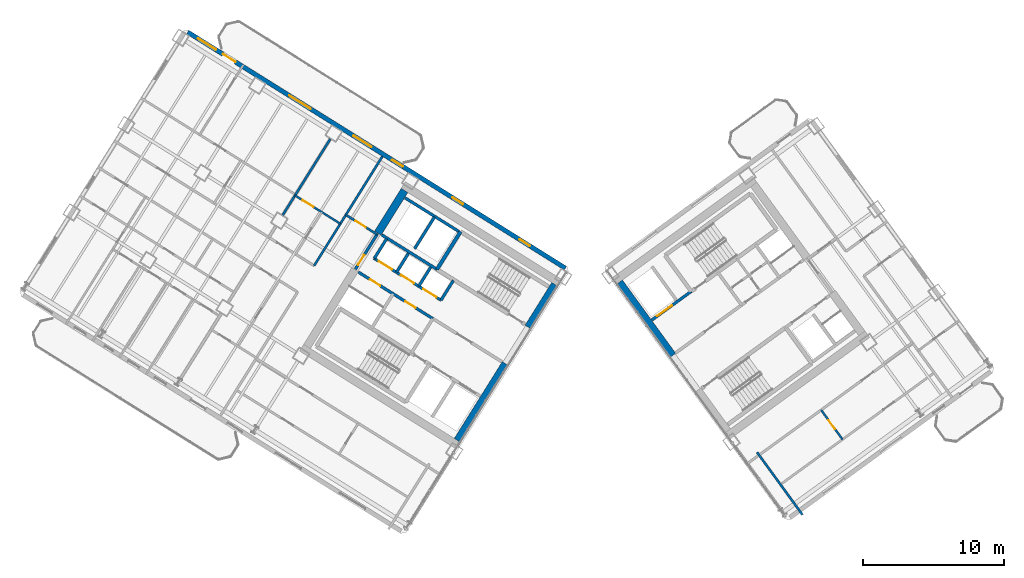
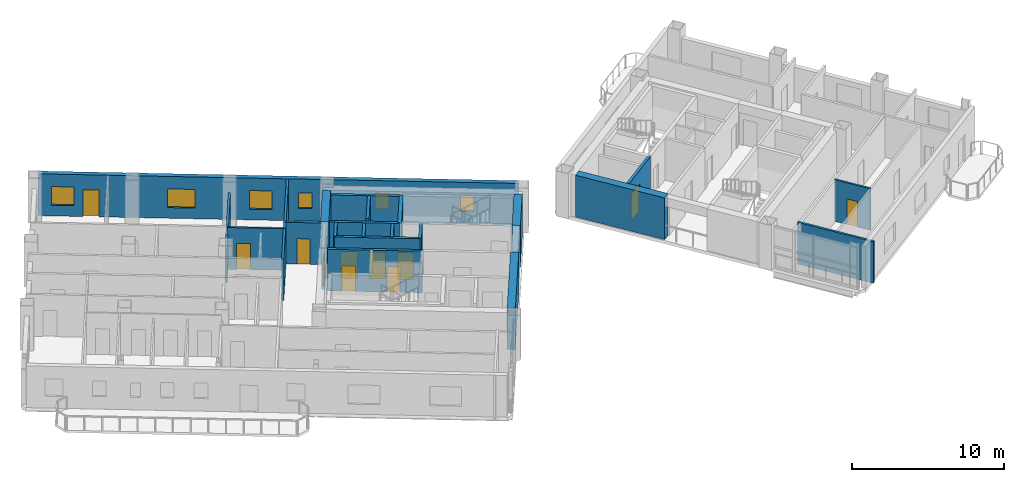
# One storey, part 12 of 18: 23 walls, 11 doors, 6 windows, 17 openings.
"""IFC4 building model written with IfcOpenShell, lengths in metres."""

from ifc_helpers import new_model, si_unit, direction, frame, frame_2d, origin, place, context, subcontext, project, spatial, rectangle, extrude, source, transform, mapped, material, layer, layer_set, type_object, element, fill, save


model = new_model("IFC4")

# Units and contexts
model_context = context("Model", 3, precision=1e-05, world=origin(), true_north=direction((0.0, 1.0)))
body_context = subcontext(model_context, "Body", "Model", "MODEL_VIEW")
ifc_project = project(units=[si_unit("LENGTHUNIT", "METRE"), si_unit("AREAUNIT", "SQUARE_METRE"), si_unit("VOLUMEUNIT", "CUBIC_METRE"), si_unit("PLANEANGLEUNIT", "RADIAN"), si_unit("MASSUNIT", "GRAM", prefix="KILO")], contexts=[model_context])

# Site, building, storey
site_placement = place(None, origin())
site = spatial("IfcSite", under=ifc_project, at=site_placement, CompositionType="ELEMENT")
building_placement = place(site_placement, origin())
building = spatial("IfcBuilding", under=site, at=building_placement, Name="Tlacorven Tower", CompositionType="ELEMENT")
storey_placement = place(building_placement, frame((0.0, 0.0, 140.699951171875)))
storey = spatial("IfcBuildingStorey", under=building, at=storey_placement, Name="L35", CompositionType="ELEMENT", Elevation=140.699951171875)

# Walls
ifc_material_1 = material(Name="Concrete C60/75", Category="concrete")
ifc_layer_1 = layer(ifc_material_1, 0.550048828125)
ifc_layer_set_1 = layer_set([ifc_layer_1], Name="Concrete C60/75")
wall_type_1 = type_object("IfcWallType", Name="WL-COR-550", PredefinedType="SHEAR", material=ifc_layer_set_1)
wall_1_placement = place(storey_placement, frame((40.194091796875, 23.92236328125, 0.0), z_axis=(0.0, 0.0, 1.0), x_axis=(-0.529888438328, -0.848067357541, 0.0)))
element("IfcWall", 1, at=wall_1_placement, inside=storey, type_object=wall_type_1, Name="L35 W core end wall E1.1", PredefinedType="SHEAR", context=body_context, shape_type="SweptSolid", body=[
    extrude(rectangle(XDim=3.574951171875, YDim=0.550048828125, at=frame_2d((1.78759765625, 0.0))), origin(), (0.0, 0.0, 1.0), 3.35009765625),
])
wall_2_placement = place(storey_placement, frame((36.683349609375, 18.30419921875, 0.0), z_axis=(0.0, 0.0, 1.0), x_axis=(-0.529896466841, -0.848062341122, 0.0)))
element("IfcWall", 2, at=wall_2_placement, inside=storey, type_object=wall_type_1, Name="L35 W core end wall E1.2", PredefinedType="SHEAR", context=body_context, shape_type="SweptSolid", body=[
    extrude(rectangle(XDim=6.4248046875, YDim=0.550048828125, at=frame_2d((3.21240234375, 0.0))), origin(), (0.0, 0.0, 1.0), 3.35009765625),
])
wall_3_placement = place(storey_placement, frame((29.517333984375, 30.59423828125, 0.0), z_axis=(0.0, 0.0, 1.0), x_axis=(-0.529906864564, -0.848055844204, 0.0)))
element("IfcWall", 3, at=wall_3_placement, inside=storey, type_object=wall_type_1, Name="L35 W core end wall E2.1", PredefinedType="SHEAR", context=body_context, shape_type="SweptSolid", body=[
    extrude(rectangle(XDim=3.5751953125, YDim=0.550048828125, at=frame_2d((1.78759765625, 0.0))), origin(), (0.0, 0.0, 1.0), 3.35009765625),
])
wall_4_placement = place(storey_placement, frame((48.525634765625, 18.883544921875, 0.0), z_axis=(0.0, 0.0, 1.0), x_axis=(-0.587764933797, 0.809031756236, 0.0)))
element("IfcWall", 4, at=wall_4_placement, inside=storey, type_object=wall_type_1, Name="L35 E core end wall E1.2", PredefinedType="SHEAR", context=body_context, shape_type="SweptSolid", body=[
    extrude(rectangle(XDim=6.425048828125, YDim=0.550048828125, at=frame_2d((3.21240234375, 0.0))), origin(), (0.0, 0.0, 1.0), 3.35009765625),
])

# Wall, opening, door
ifc_material_2 = material(Name="Gypsum plasterboard acoustic partition", Category="gypsum")
ifc_layer_2 = layer(ifc_material_2, 0.159912109375)
ifc_layer_set_2 = layer_set([ifc_layer_2], Name="Gypsum plasterboard acoustic partition")
wall_type_2 = type_object("IfcWallType", Name="WL-DEM-160", PredefinedType="PARTITIONING", material=ifc_layer_set_2)
wall_5_placement = place(storey_placement, frame((27.56982421875, 27.4775390625, 0.0), z_axis=(0.0, 0.0, 1.0), x_axis=(-0.848050851465, 0.529914854792, 0.0)))
wall_5 = element("IfcWall", 5, at=wall_5_placement, inside=storey, type_object=wall_type_2, Name="L35 partition 46", PredefinedType="PARTITIONING", context=body_context, shape_type="SweptSolid", body=[
    extrude(rectangle(XDim=2.60986328125, YDim=0.159912109375, at=frame_2d((1.304931640625, 0.0))), origin(), (0.0, 0.0, 1.0), 3.340087890625),
])
opening_1_placement = place(wall_5_placement, frame((0.949951171875, 0.0, 0.0)))
opening_1 = element("IfcOpeningElement", 6, at=opening_1_placement, cuts=wall_5, Name="Opening D19", PredefinedType="OPENING", context=body_context, shape_type="SweptSolid", body=[
    extrude(rectangle(XDim=0.860107421875, YDim=2.050048828125, at=frame_2d((0.43017578125, 1.02490234375))), frame((0.0, 0.08984375, 0.0), z_axis=(0.0, -1.0, 0.0), x_axis=(1.0, 0.0, 0.0)), (0.0, 0.0, 1.0), 0.179931640625),
])
ifc_material_3 = material(Name="Fire-rated steel door assembly", Category="steel")
door_type_1 = type_object("IfcDoorType", Name="DR-RSR-FD60-0860", OperationType="NOTDEFINED", PredefinedType="DOOR", material=ifc_material_3)
shared_shape_1 = source(origin(), body_context, "Body", "SweptSolid", [
    extrude(rectangle(XDim=0.860107421875, YDim=2.050048828125, at=frame_2d((0.43017578125, 1.02490234375))), frame((0.0, 0.02490234375, 0.0), z_axis=(0.0, -1.0, 0.0), x_axis=(1.0, 0.0, 0.0)), (0.0, 0.0, 1.0), 0.050048828125),
])
door_1_placement = place(opening_1_placement, frame((0.860107421875, 0.0, 0.0), z_axis=(0.0, 0.0, 1.0), x_axis=(-1.0, 0.0, 0.0)))
door_1 = element("IfcDoor", 7, at=door_1_placement, inside=storey, type_object=door_type_1, Name="L35 door 023", OperationType="SINGLE_SWING_RIGHT", OverallHeight=2.050048828125, OverallWidth=0.860107421875, PredefinedType="DOOR", context=body_context, shape_type="MappedRepresentation", body=[
    mapped(shared_shape_1, transform((0.0, 0.0, 0.0), scale=1.0)),
])
fill(opening_1, door_1)

# Walls
wall_6_placement = place(storey_placement, frame((27.952880859375, 33.01611328125, 0.0), z_axis=(0.0, 0.0, 1.0), x_axis=(-0.529903001606, -0.848058257957, 0.0)))
element("IfcWall", 8, at=wall_6_placement, inside=storey, type_object=wall_type_2, Name="L35 partition 48", PredefinedType="PARTITIONING", context=body_context, shape_type="SweptSolid", body=[
    extrude(rectangle(XDim=9.150146484375, YDim=0.159912109375, at=frame_2d((4.5751953125, 0.0))), origin(), (0.0, 0.0, 1.0), 3.340087890625),
])
wall_7_placement = place(storey_placement, frame((24.255615234375, 34.2509765625, 0.0), z_axis=(0.0, 0.0, 1.0), x_axis=(-0.529919772691, -0.848047778437, 0.0)))
element("IfcWall", 9, at=wall_7_placement, inside=storey, type_object=wall_type_2, Name="L35 WS Demising Wall 1", PredefinedType="PARTITIONING", context=body_context, shape_type="SweptSolid", body=[
    extrude(rectangle(XDim=6.375732421875, YDim=0.159912109375, at=frame_2d((3.18798828125, 0.0))), origin(), (0.0, 0.0, 1.0), 2.775146484375),
])
wall_8_placement = place(storey_placement, frame((57.747314453125, 7.586181640625, 0.0), z_axis=(0.0, 0.0, 1.0), x_axis=(-0.587784893399, 0.809017255126, 0.0)))
element("IfcWall", 10, at=wall_8_placement, inside=storey, type_object=wall_type_2, Name="L35 EC West Throat Wall", PredefinedType="PARTITIONING", context=body_context, shape_type="SweptSolid", body=[
    extrude(rectangle(XDim=5.480224609375, YDim=0.159912109375, at=frame_2d((2.740234375, 0.0))), origin(), (0.0, 0.0, 1.0), 3.340087890625),
])

# Wall, openings, door, windows
ifc_material_4 = material(Name="Precast concrete C45/55", Category="concrete")
ifc_layer_3 = layer(ifc_material_4, 0.320068359375)
ifc_layer_set_3 = layer_set([ifc_layer_3], Name="Precast concrete C45/55")
wall_type_3 = type_object("IfcWallType", Name="WL-EXT-320", PredefinedType="STANDARD", material=ifc_layer_set_3)
wall_9_placement = place(storey_placement, frame((14.13818359375, 41.825439453125, 0.0), z_axis=(0.0, 0.0, 1.0), x_axis=(0.848046498049, -0.529921821731, 0.0)))
wall_9 = element("IfcWall", 11, at=wall_9_placement, inside=storey, type_object=wall_type_3, Name="L35 Masonry-Frame Recessed Facade Wall 3", PredefinedType="STANDARD", context=body_context, shape_type="SweptSolid", body=[
    extrude(rectangle(XDim=31.587646484375, YDim=0.320068359375, at=frame_2d((15.7939453125, 0.0))), origin(), (0.0, 0.0, 1.0), 3.35009765625),
])
opening_2_placement = place(wall_9_placement, frame((2.94873046875, 0.0, 0.0)))
opening_2 = element("IfcOpeningElement", 12, at=opening_2_placement, cuts=wall_9, Name="Opening D06", PredefinedType="OPENING", context=body_context, shape_type="SweptSolid", body=[
    extrude(rectangle(XDim=1.050048828125, YDim=2.14990234375, at=frame_2d((0.52490234375, 1.074951171875))), frame((0.0, 0.169921875, 0.0), z_axis=(0.0, -1.0, 0.0), x_axis=(1.0, 0.0, 0.0)), (0.0, 0.0, 1.0), 0.340087890625),
])
opening_3_placement = place(wall_9_placement, frame((0.861083984375, 0.0, 0.85009765625)))
opening_3 = element("IfcOpeningElement", 13, at=opening_3_placement, cuts=wall_9, Name="Opening WN02", PredefinedType="OPENING", context=body_context, shape_type="SweptSolid", body=[
    extrude(rectangle(XDim=1.5, YDim=1.5, at=frame_2d((0.75, 0.75))), frame((0.0, 0.169921875, 0.0), z_axis=(0.0, -1.0, 0.0), x_axis=(1.0, 0.0, 0.0)), (0.0, 0.0, 1.0), 0.340087890625),
])
opening_4_placement = place(wall_9_placement, frame((8.49365234375, 0.0, 0.85009765625)))
opening_4 = element("IfcOpeningElement", 14, at=opening_4_placement, cuts=wall_9, Name="Opening WN01", PredefinedType="OPENING", context=body_context, shape_type="SweptSolid", body=[
    extrude(rectangle(XDim=1.800048828125, YDim=1.5, at=frame_2d((0.89990234375, 0.75))), frame((0.0, 0.169921875, 0.0), z_axis=(0.0, -1.0, 0.0), x_axis=(1.0, 0.0, 0.0)), (0.0, 0.0, 1.0), 0.340087890625),
])
opening_5_placement = place(wall_9_placement, frame((13.873779296875, 0.0, 0.85009765625)))
opening_5 = element("IfcOpeningElement", 15, at=opening_5_placement, cuts=wall_9, Name="Opening WN02", PredefinedType="OPENING", context=body_context, shape_type="SweptSolid", body=[
    extrude(rectangle(XDim=1.5, YDim=1.5, at=frame_2d((0.75, 0.75))), frame((0.0, 0.169921875, 0.0), z_axis=(0.0, -1.0, 0.0), x_axis=(1.0, 0.0, 0.0)), (0.0, 0.0, 1.0), 0.340087890625),
])
opening_6_placement = place(wall_9_placement, frame((17.103759765625, 0.0, 1.0)))
opening_6 = element("IfcOpeningElement", 16, at=opening_6_placement, cuts=wall_9, Name="Opening WN05", PredefinedType="OPENING", context=body_context, shape_type="SweptSolid", body=[
    extrude(rectangle(XDim=0.89990234375, YDim=1.25, at=frame_2d((0.449951171875, 0.625))), frame((0.0, 0.169921875, 0.0), z_axis=(0.0, -1.0, 0.0), x_axis=(1.0, 0.0, 0.0)), (0.0, 0.0, 1.0), 0.340087890625),
])
opening_7_placement = place(wall_9_placement, frame((22.143798828125, 0.0, 1.0)))
opening_7 = element("IfcOpeningElement", 17, at=opening_7_placement, cuts=wall_9, Name="Opening WN05", PredefinedType="OPENING", context=body_context, shape_type="SweptSolid", body=[
    extrude(rectangle(XDim=0.89990234375, YDim=1.25, at=frame_2d((0.449951171875, 0.625))), frame((0.0, 0.169921875, 0.0), z_axis=(0.0, -1.0, 0.0), x_axis=(1.0, 0.0, 0.0)), (0.0, 0.0, 1.0), 0.340087890625),
])
opening_8_placement = place(wall_9_placement, frame((27.74365234375, 0.0, 1.0)))
opening_8 = element("IfcOpeningElement", 18, at=opening_8_placement, cuts=wall_9, Name="Opening WN05", PredefinedType="OPENING", context=body_context, shape_type="SweptSolid", body=[
    extrude(rectangle(XDim=0.89990234375, YDim=1.25, at=frame_2d((0.449951171875, 0.625))), frame((0.0, 0.169921875, 0.0), z_axis=(0.0, -1.0, 0.0), x_axis=(1.0, 0.0, 0.0)), (0.0, 0.0, 1.0), 0.340087890625),
])
ifc_material_5 = material(Name="Powder-coated aluminium and timber door", Category="wood")
door_type_2 = type_object("IfcDoorType", Name="DR-EXT-BALC-1050", OperationType="NOTDEFINED", PredefinedType="DOOR", material=ifc_material_5)
shared_shape_2 = source(origin(), body_context, "Body", "SweptSolid", [
    extrude(rectangle(XDim=1.050048828125, YDim=2.14990234375, at=frame_2d((0.52490234375, 1.074951171875))), frame((0.0, 0.02490234375, 0.0), z_axis=(0.0, -1.0, 0.0), x_axis=(1.0, 0.0, 0.0)), (0.0, 0.0, 1.0), 0.050048828125),
])
door_2_placement = place(opening_2_placement, origin())
door_2 = element("IfcDoor", 19, at=door_2_placement, inside=storey, type_object=door_type_2, Name="L35 Outdoor Access Door BAL-L35-W-IN", OperationType="SINGLE_SWING_RIGHT", OverallHeight=2.14990234375, OverallWidth=1.050048828125, PredefinedType="DOOR", context=body_context, shape_type="MappedRepresentation", body=[
    mapped(shared_shape_2, transform((0.0, 0.0, 0.0), scale=1.0)),
])
fill(opening_2, door_2)
ifc_material_6 = material(Name="Dark solar low-E double glazing in anodised aluminium frame", Category="aluminium")
window_type_1 = type_object("IfcWindowType", Name="WN-APT-1800X1650", PartitioningType="SINGLE_PANEL", PredefinedType="WINDOW", material=ifc_material_6)
shared_shape_3 = source(origin(), body_context, "Body", "SweptSolid", [
    extrude(rectangle(XDim=1.800048828125, YDim=1.5, at=frame_2d((0.89990234375, 0.75))), frame((0.0, 0.030029296875, 0.0), z_axis=(0.0, -1.0, 0.0), x_axis=(1.0, 0.0, 0.0)), (0.0, 0.0, 1.0), 0.06005859375),
])
window_1_placement = place(opening_4_placement, origin())
window_1 = element("IfcWindow", 20, at=window_1_placement, inside=storey, type_object=window_type_1, Name="L35 Recessed Masonry-Frame Window L35-03.2", OverallHeight=1.5, OverallWidth=1.800048828125, PartitioningType="SINGLE_PANEL", PredefinedType="WINDOW", context=body_context, shape_type="MappedRepresentation", body=[
    mapped(shared_shape_3, transform((0.0, 0.0, 0.0), scale=1.0)),
])
fill(opening_4, window_1)
window_type_2 = type_object("IfcWindowType", Name="WN-APT-1500X1650", PartitioningType="SINGLE_PANEL", PredefinedType="WINDOW", material=ifc_material_6)
shared_shape_4 = source(origin(), body_context, "Body", "SweptSolid", [
    extrude(rectangle(XDim=1.5, YDim=1.5, at=frame_2d((0.75, 0.75))), frame((0.0, 0.030029296875, 0.0), z_axis=(0.0, -1.0, 0.0), x_axis=(1.0, 0.0, 0.0)), (0.0, 0.0, 1.0), 0.06005859375),
])
window_2_placement = place(opening_3_placement, origin())
window_2 = element("IfcWindow", 21, at=window_2_placement, inside=storey, type_object=window_type_2, Name="L35 Recessed Masonry-Frame Window L35-03.1", OverallHeight=1.5, OverallWidth=1.5, PartitioningType="SINGLE_PANEL", PredefinedType="WINDOW", context=body_context, shape_type="MappedRepresentation", body=[
    mapped(shared_shape_4, transform((0.0, 0.0, 0.0), scale=1.0)),
])
fill(opening_3, window_2)
window_3_placement = place(opening_5_placement, origin())
window_3 = element("IfcWindow", 22, at=window_3_placement, inside=storey, type_object=window_type_2, Name="L35 Recessed Masonry-Frame Window L35-03.3", OverallHeight=1.5, OverallWidth=1.5, PartitioningType="SINGLE_PANEL", PredefinedType="WINDOW", context=body_context, shape_type="MappedRepresentation", body=[
    mapped(shared_shape_4, transform((0.0, 0.0, 0.0), scale=1.0)),
])
fill(opening_5, window_3)
window_type_3 = type_object("IfcWindowType", Name="WN-APT-0900X1350", PartitioningType="SINGLE_PANEL", PredefinedType="WINDOW", material=ifc_material_6)
shared_shape_5 = source(origin(), body_context, "Body", "SweptSolid", [
    extrude(rectangle(XDim=0.89990234375, YDim=1.25, at=frame_2d((0.449951171875, 0.625))), frame((0.0, 0.030029296875, 0.0), z_axis=(0.0, -1.0, 0.0), x_axis=(1.0, 0.0, 0.0)), (0.0, 0.0, 1.0), 0.06005859375),
])
window_4_placement = place(opening_6_placement, origin())
window_4 = element("IfcWindow", 23, at=window_4_placement, inside=storey, type_object=window_type_3, Name="L35 Recessed Masonry-Frame Window L35-03.4", OverallHeight=1.25, OverallWidth=0.89990234375, PartitioningType="SINGLE_PANEL", PredefinedType="WINDOW", context=body_context, shape_type="MappedRepresentation", body=[
    mapped(shared_shape_5, transform((0.0, 0.0, 0.0), scale=1.0)),
])
fill(opening_6, window_4)
window_5_placement = place(opening_7_placement, origin())
window_5 = element("IfcWindow", 24, at=window_5_placement, inside=storey, type_object=window_type_3, Name="L35 Recessed Masonry-Frame Window L35-03.5", OverallHeight=1.25, OverallWidth=0.89990234375, PartitioningType="SINGLE_PANEL", PredefinedType="WINDOW", context=body_context, shape_type="MappedRepresentation", body=[
    mapped(shared_shape_5, transform((0.0, 0.0, 0.0), scale=1.0)),
])
fill(opening_7, window_5)
window_6_placement = place(opening_8_placement, origin())
window_6 = element("IfcWindow", 25, at=window_6_placement, inside=storey, type_object=window_type_3, Name="L35 Recessed Masonry-Frame Window L35-03.6", OverallHeight=1.25, OverallWidth=0.89990234375, PartitioningType="SINGLE_PANEL", PredefinedType="WINDOW", context=body_context, shape_type="MappedRepresentation", body=[
    mapped(shared_shape_5, transform((0.0, 0.0, 0.0), scale=1.0)),
])
fill(opening_8, window_6)

# Wall, opening, door
ifc_material_7 = material(Name="Moisture-resistant gypsum plumbing wall", Category="gypsum")
ifc_layer_4 = layer(ifc_material_7, 0.139892578125)
ifc_layer_set_4 = layer_set([ifc_layer_4], Name="Moisture-resistant gypsum plumbing wall")
wall_type_4 = type_object("IfcWallType", Name="WL-PLM-140", PredefinedType="PLUMBINGWALL", material=ifc_layer_set_4)
wall_10_placement = place(storey_placement, frame((24.96435546875, 28.233154296875, 0.0), z_axis=(0.0, 0.0, 1.0), x_axis=(-0.848059820872, 0.529900500304, 0.0)))
wall_10 = element("IfcWall", 26, at=wall_10_placement, inside=storey, type_object=wall_type_4, Name="L35 partition 66", PredefinedType="PLUMBINGWALL", context=body_context, shape_type="SweptSolid", body=[
    extrude(rectangle(XDim=3.7900390625, YDim=0.139892578125, at=frame_2d((1.89501953125, 0.0))), origin(), (0.0, 0.0, 1.0), 3.340087890625),
])
opening_9_placement = place(wall_10_placement, frame((2.22998046875, 0.0, 0.0)))
opening_9 = element("IfcOpeningElement", 27, at=opening_9_placement, cuts=wall_10, Name="Opening D12", PredefinedType="OPENING", context=body_context, shape_type="SweptSolid", body=[
    extrude(rectangle(XDim=0.919921875, YDim=2.080078125, at=frame_2d((0.4599609375, 1.0400390625))), frame((0.0, 0.080078125, 0.0), z_axis=(0.0, -1.0, 0.0), x_axis=(1.0, 0.0, 0.0)), (0.0, 0.0, 1.0), 0.159912109375),
])
door_type_3 = type_object("IfcDoorType", Name="DR-INT-ROOM-0920", OperationType="NOTDEFINED", PredefinedType="DOOR", material=ifc_material_5)
shared_shape_6 = source(origin(), body_context, "Body", "SweptSolid", [
    extrude(rectangle(XDim=0.919921875, YDim=2.080078125, at=frame_2d((0.4599609375, 1.0400390625))), frame((0.0, 0.02490234375, 0.0), z_axis=(0.0, -1.0, 0.0), x_axis=(1.0, 0.0, 0.0)), (0.0, 0.0, 1.0), 0.050048828125),
])
door_3_placement = place(opening_9_placement, origin())
door_3 = element("IfcDoor", 28, at=door_3_placement, inside=storey, type_object=door_type_3, Name="L35 door 039", OperationType="SINGLE_SWING_LEFT", OverallHeight=2.080078125, OverallWidth=0.919921875, PredefinedType="DOOR", context=body_context, shape_type="MappedRepresentation", body=[
    mapped(shared_shape_6, transform((0.0, 0.0, 0.0), scale=1.0)),
])
fill(opening_9, door_3)

wall_11_placement = place(storey_placement, frame((60.584716796875, 12.935791015625, 0.0), z_axis=(0.0, 0.0, 1.0), x_axis=(-0.587772116736, 0.809026537752, 0.0)))
wall_11 = element("IfcWall", 29, at=wall_11_placement, inside=storey, type_object=wall_type_4, Name="L35 partition 87", PredefinedType="PLUMBINGWALL", context=body_context, shape_type="SweptSolid", body=[
    extrude(rectangle(XDim=2.579833984375, YDim=0.139892578125, at=frame_2d((1.2900390625, 0.0))), origin(), (0.0, 0.0, 1.0), 3.340087890625),
])
opening_10_placement = place(wall_11_placement, frame((0.89990234375, 0.0, 0.0)))
opening_10 = element("IfcOpeningElement", 30, at=opening_10_placement, cuts=wall_11, Name="Opening D22", PredefinedType="OPENING", context=body_context, shape_type="SweptSolid", body=[
    extrude(rectangle(XDim=0.780029296875, YDim=2.050048828125, at=frame_2d((0.39013671875, 1.02490234375))), frame((0.0, 0.080078125, 0.0), z_axis=(0.0, -1.0, 0.0), x_axis=(1.0, 0.0, 0.0)), (0.0, 0.0, 1.0), 0.159912109375),
])
door_type_4 = type_object("IfcDoorType", Name="DR-INT-WET-0780", OperationType="NOTDEFINED", PredefinedType="DOOR", material=ifc_material_5)
shared_shape_7 = source(origin(), body_context, "Body", "SweptSolid", [
    extrude(rectangle(XDim=0.780029296875, YDim=2.050048828125, at=frame_2d((0.39013671875, 1.02490234375))), frame((0.0, 0.02490234375, 0.0), z_axis=(0.0, -1.0, 0.0), x_axis=(1.0, 0.0, 0.0)), (0.0, 0.0, 1.0), 0.050048828125),
])
door_4_placement = place(opening_10_placement, origin())
door_4 = element("IfcDoor", 31, at=door_4_placement, inside=storey, type_object=door_type_4, Name="L35 door 055", OperationType="SINGLE_SWING_LEFT", OverallHeight=2.050048828125, OverallWidth=0.780029296875, PredefinedType="DOOR", context=body_context, shape_type="MappedRepresentation", body=[
    mapped(shared_shape_7, transform((0.0, 0.0, 0.0), scale=1.0)),
])
fill(opening_10, door_4)

# Wall
ifc_material_8 = material(Name="Concrete C40/50", Category="concrete")
ifc_layer_5 = layer(ifc_material_8, 0.199951171875)
ifc_layer_set_5 = layer_set([ifc_layer_5], Name="Concrete C40/50")
wall_type_5 = type_object("IfcWallType", Name="WL-SHF-200", PredefinedType="STANDARD", material=ifc_layer_set_5)
wall_12_placement = place(storey_placement, frame((31.82177734375, 24.99755859375, 0.0), z_axis=(0.0, 0.0, 1.0), x_axis=(-0.848036912365, 0.52993716162, 0.0)))
element("IfcWall", 32, at=wall_12_placement, inside=storey, type_object=wall_type_5, Name="L35 Core W South Lift Shaft Wall", PredefinedType="STANDARD", context=body_context, shape_type="SweptSolid", body=[
    extrude(rectangle(XDim=4.617919921875, YDim=0.199951171875, at=frame_2d((2.30908203125, 0.0))), origin(), (0.0, 0.0, 1.0), 3.340087890625),
])

# Wall, openings, doors
wall_13_placement = place(storey_placement, frame((32.108154296875, 22.81396484375, 0.0), z_axis=(0.0, 0.0, 1.0), x_axis=(-0.848042229521, 0.529928652696, 0.0)))
wall_13 = element("IfcWall", 33, at=wall_13_placement, inside=storey, type_object=wall_type_5, Name="L35 partition 11", PredefinedType="STANDARD", context=body_context, shape_type="SweptSolid", body=[
    extrude(rectangle(XDim=5.6201171875, YDim=0.199951171875, at=frame_2d((2.81005859375, 0.0))), origin(), (0.0, 0.0, 1.0), 3.340087890625),
])
opening_11_placement = place(wall_13_placement, frame((0.389892578125, 0.0, 0.0)))
opening_11 = element("IfcOpeningElement", 34, at=opening_11_placement, cuts=wall_13, Name="Opening LD01", PredefinedType="OPENING", context=body_context, shape_type="SweptSolid", body=[
    extrude(rectangle(XDim=1.10009765625, YDim=2.14990234375, at=frame_2d((0.550048828125, 1.074951171875))), frame((0.0, 0.10986328125, 0.0), z_axis=(0.0, -1.0, 0.0), x_axis=(1.0, 0.0, 0.0)), (0.0, 0.0, 1.0), 0.219970703125),
])
opening_12_placement = place(wall_13_placement, frame((2.25, 0.0, 0.0)))
opening_12 = element("IfcOpeningElement", 35, at=opening_12_placement, cuts=wall_13, Name="Opening LD01", PredefinedType="OPENING", context=body_context, shape_type="SweptSolid", body=[
    extrude(rectangle(XDim=1.10009765625, YDim=2.14990234375, at=frame_2d((0.550048828125, 1.074951171875))), frame((0.0, 0.10986328125, 0.0), z_axis=(0.0, -1.0, 0.0), x_axis=(1.0, 0.0, 0.0)), (0.0, 0.0, 1.0), 0.219970703125),
])
opening_13_placement = place(wall_13_placement, frame((4.110107421875, 0.0, 0.0)))
opening_13 = element("IfcOpeningElement", 36, at=opening_13_placement, cuts=wall_13, Name="Opening LD01", PredefinedType="OPENING", context=body_context, shape_type="SweptSolid", body=[
    extrude(rectangle(XDim=1.10009765625, YDim=2.14990234375, at=frame_2d((0.550048828125, 1.074951171875))), frame((0.0, 0.10986328125, 0.0), z_axis=(0.0, -1.0, 0.0), x_axis=(1.0, 0.0, 0.0)), (0.0, 0.0, 1.0), 0.219970703125),
])
door_type_5 = type_object("IfcDoorType", Name="DR-LFT-SLID-1100", OperationType="DOUBLE_DOOR_SLIDING", PredefinedType="DOOR", material=ifc_material_3)
shared_shape_8 = source(origin(), body_context, "Body", "SweptSolid", [
    extrude(rectangle(XDim=1.10009765625, YDim=2.14990234375, at=frame_2d((0.550048828125, 1.074951171875))), frame((0.0, 0.02490234375, 0.0), z_axis=(0.0, -1.0, 0.0), x_axis=(1.0, 0.0, 0.0)), (0.0, 0.0, 1.0), 0.050048828125),
])
door_5_placement = place(opening_11_placement, origin())
door_5 = element("IfcDoor", 37, at=door_5_placement, inside=storey, type_object=door_type_5, Name="L35 Lift PL-M1 Sliding Landing Door", OperationType="DOUBLE_DOOR_SLIDING", OverallHeight=2.14990234375, OverallWidth=1.10009765625, PredefinedType="DOOR", context=body_context, shape_type="MappedRepresentation", body=[
    mapped(shared_shape_8, transform((0.0, 0.0, 0.0), scale=1.0)),
])
fill(opening_11, door_5)
door_6_placement = place(opening_12_placement, origin())
door_6 = element("IfcDoor", 38, at=door_6_placement, inside=storey, type_object=door_type_5, Name="L35 Lift PL-M2 Sliding Landing Door", OperationType="DOUBLE_DOOR_SLIDING", OverallHeight=2.14990234375, OverallWidth=1.10009765625, PredefinedType="DOOR", context=body_context, shape_type="MappedRepresentation", body=[
    mapped(shared_shape_8, transform((0.0, 0.0, 0.0), scale=1.0)),
])
fill(opening_12, door_6)
door_7_placement = place(opening_13_placement, origin())
door_7 = element("IfcDoor", 39, at=door_7_placement, inside=storey, type_object=door_type_5, Name="L35 Lift PL-M3 Sliding Landing Door", OperationType="DOUBLE_DOOR_SLIDING", OverallHeight=2.14990234375, OverallWidth=1.10009765625, PredefinedType="DOOR", context=body_context, shape_type="MappedRepresentation", body=[
    mapped(shared_shape_8, transform((0.0, 0.0, 0.0), scale=1.0)),
])
fill(opening_13, door_7)

# Walls
wall_14_placement = place(storey_placement, frame((32.982421875, 24.21337890625, 0.0), z_axis=(0.0, 0.0, 1.0), x_axis=(-0.529839334948, -0.84809803628, 0.0)))
element("IfcWall", 40, at=wall_14_placement, inside=storey, type_object=wall_type_5, Name="L35 partition 12", PredefinedType="STANDARD", context=body_context, shape_type="SweptSolid", body=[
    extrude(rectangle(XDim=1.650146484375, YDim=0.199951171875, at=frame_2d((0.8251953125, 0.0))), origin(), (0.0, 0.0, 1.0), 3.340087890625),
])
wall_15_placement = place(storey_placement, frame((28.250244140625, 27.170166015625, 0.0), z_axis=(0.0, 0.0, 1.0), x_axis=(-0.529905827651, -0.848056492117, 0.0)))
element("IfcWall", 41, at=wall_15_placement, inside=storey, type_object=wall_type_5, Name="L35 partition 13", PredefinedType="STANDARD", context=body_context, shape_type="SweptSolid", body=[
    extrude(rectangle(XDim=1.64990234375, YDim=0.199951171875, at=frame_2d((0.824951171875, 0.0))), origin(), (0.0, 0.0, 1.0), 3.340087890625),
])
wall_16_placement = place(storey_placement, frame((31.645263671875, 28.716064453125, 0.0), z_axis=(0.0, 0.0, 1.0), x_axis=(-0.52986693015, -0.848080795876, 0.0)))
element("IfcWall", 42, at=wall_16_placement, inside=storey, type_object=wall_type_5, Name="L35 partition 15", PredefinedType="STANDARD", context=body_context, shape_type="SweptSolid", body=[
    extrude(rectangle(XDim=2.659912109375, YDim=0.199951171875, at=frame_2d((1.330078125, 0.0))), origin(), (0.0, 0.0, 1.0), 3.340087890625),
])
wall_17_placement = place(storey_placement, frame((33.362548828125, 27.690185546875, 0.0), z_axis=(0.0, 0.0, 1.0), x_axis=(-0.848047090064, 0.529920874315, 0.0)))
element("IfcWall", 43, at=wall_17_placement, inside=storey, type_object=wall_type_5, Name="L35 partition 17", PredefinedType="STANDARD", context=body_context, shape_type="SweptSolid", body=[
    extrude(rectangle(XDim=4.498046875, YDim=0.199951171875, at=frame_2d((2.2490234375, 0.0))), origin(), (0.0, 0.0, 1.0), 3.340087890625),
])
for number, where, z_axis, x_axis, name in (
    (44, (31.378662109375, 25.156494140625, 0.0), (0.0, 0.0, 1.0), (-0.529998940003, -0.847998304005, 0.0), "L35 partition 18"),
    (45, (29.80126953125, 26.14208984375, 0.0), (0.0, 0.0, 1.0), (-0.529998940003, -0.847998304005, 0.0), "L35 partition 19"),
):
    element("IfcWall", number, at=place(storey_placement, frame(where, z_axis=z_axis, x_axis=x_axis)), inside=storey, type_object=wall_type_5, Name=name, PredefinedType="STANDARD", context=body_context, shape_type="SweptSolid", body=[
        extrude(rectangle(XDim=1.580078125, YDim=0.199951171875, at=frame_2d((0.7900390625, 0.0))), origin(), (0.0, 0.0, 1.0), 3.340087890625),
    ])

# Wall, openings, doors
wall_18_placement = place(storey_placement, frame((31.525146484375, 21.503662109375, 0.0), z_axis=(0.0, 0.0, 1.0), x_axis=(-0.848040211232, 0.529931882541, 0.0)))
wall_18 = element("IfcWall", 46, at=wall_18_placement, inside=storey, type_object=wall_type_5, Name="L35 Core W North Service Wall", PredefinedType="STANDARD", context=body_context, shape_type="SweptSolid", body=[
    extrude(rectangle(XDim=6.218017578125, YDim=0.199951171875, at=frame_2d((3.10888671875, 0.0))), origin(), (0.0, 0.0, 1.0), 3.340087890625),
])
opening_14_placement = place(wall_18_placement, frame((4.39990234375, 0.0, 0.0)))
opening_14 = element("IfcOpeningElement", 47, at=opening_14_placement, cuts=wall_18, Name="Opening D19", PredefinedType="OPENING", context=body_context, shape_type="SweptSolid", body=[
    extrude(rectangle(XDim=0.860107421875, YDim=2.050048828125, at=frame_2d((0.43017578125, 1.02490234375))), frame((0.0, 0.10986328125, 0.0), z_axis=(0.0, -1.0, 0.0), x_axis=(1.0, 0.0, 0.0)), (0.0, 0.0, 1.0), 0.219970703125),
])
opening_15_placement = place(wall_18_placement, frame((1.449951171875, 0.0, 0.0)))
opening_15 = element("IfcOpeningElement", 48, at=opening_15_placement, cuts=wall_18, Name="Opening D19", PredefinedType="OPENING", context=body_context, shape_type="SweptSolid", body=[
    extrude(rectangle(XDim=0.860107421875, YDim=2.050048828125, at=frame_2d((0.43017578125, 1.02490234375))), frame((0.0, 0.10986328125, 0.0), z_axis=(0.0, -1.0, 0.0), x_axis=(1.0, 0.0, 0.0)), (0.0, 0.0, 1.0), 0.219970703125),
])
door_8_placement = place(opening_14_placement, frame((0.860107421875, 0.0, 0.0), z_axis=(0.0, 0.0, 1.0), x_axis=(-1.0, 0.0, 0.0)))
door_8 = element("IfcDoor", 49, at=door_8_placement, inside=storey, type_object=door_type_1, Name="L35 Electrical Riser Access Door W", OperationType="SINGLE_SWING_RIGHT", OverallHeight=2.050048828125, OverallWidth=0.860107421875, PredefinedType="DOOR", context=body_context, shape_type="MappedRepresentation", body=[
    mapped(shared_shape_1, transform((0.0, 0.0, 0.0), scale=1.0)),
])
fill(opening_14, door_8)
door_9_placement = place(opening_15_placement, frame((0.860107421875, 0.0, 0.0), z_axis=(0.0, 0.0, 1.0), x_axis=(-1.0, 0.0, 0.0)))
door_9 = element("IfcDoor", 50, at=door_9_placement, inside=storey, type_object=door_type_1, Name="L35 Cleaner Store Access Door W", OperationType="SINGLE_SWING_LEFT", OverallHeight=2.050048828125, OverallWidth=0.860107421875, PredefinedType="DOOR", context=body_context, shape_type="MappedRepresentation", body=[
    mapped(shared_shape_1, transform((0.0, 0.0, 0.0), scale=1.0)),
])
fill(opening_15, door_9)

# Wall, opening, door
wall_19_placement = place(storey_placement, frame((47.0654296875, 21.4072265625, 0.0), z_axis=(0.0, 0.0, 1.0), x_axis=(0.809032984992, 0.587763242466, 0.0)))
wall_19 = element("IfcWall", 51, at=wall_19_placement, inside=storey, type_object=wall_type_5, Name="L35 Core E Firefighting Lift Shaft Front Wall", PredefinedType="STANDARD", context=body_context, shape_type="SweptSolid", body=[
    extrude(rectangle(XDim=3.447998046875, YDim=0.199951171875, at=frame_2d((1.72412109375, 0.0))), origin(), (0.0, 0.0, 1.0), 3.340087890625),
])
opening_16_placement = place(wall_19_placement, frame((0.4580078125, 0.0, 0.0)))
opening_16 = element("IfcOpeningElement", 52, at=opening_16_placement, cuts=wall_19, Name="Opening LD03", PredefinedType="OPENING", context=body_context, shape_type="SweptSolid", body=[
    extrude(rectangle(XDim=1.300048828125, YDim=2.199951171875, at=frame_2d((0.64990234375, 1.10009765625))), frame((0.0, 0.10986328125, 0.0), z_axis=(0.0, -1.0, 0.0), x_axis=(1.0, 0.0, 0.0)), (0.0, 0.0, 1.0), 0.219970703125),
])
door_type_6 = type_object("IfcDoorType", Name="DR-LFT-SLID-1300", OperationType="DOUBLE_DOOR_SLIDING", PredefinedType="DOOR", material=ifc_material_3)
shared_shape_9 = source(origin(), body_context, "Body", "SweptSolid", [
    extrude(rectangle(XDim=1.300048828125, YDim=2.199951171875, at=frame_2d((0.64990234375, 1.10009765625))), frame((0.0, 0.02490234375, 0.0), z_axis=(0.0, -1.0, 0.0), x_axis=(1.0, 0.0, 0.0)), (0.0, 0.0, 1.0), 0.050048828125),
])
door_10_placement = place(opening_16_placement, origin())
door_10 = element("IfcDoor", 53, at=door_10_placement, inside=storey, type_object=door_type_6, Name="L35 Lift FFL-E1 Sliding Landing Door", OperationType="DOUBLE_DOOR_SLIDING", OverallHeight=2.199951171875, OverallWidth=1.300048828125, PredefinedType="DOOR", context=body_context, shape_type="MappedRepresentation", body=[
    mapped(shared_shape_9, transform((0.0, 0.0, 0.0), scale=1.0)),
])
fill(opening_16, door_10)

wall_20_placement = place(storey_placement, frame((27.59619140625, 27.52001953125, 0.0), z_axis=(0.0, 0.0, 1.0), x_axis=(-0.529865479138, -0.848081702443, 0.0)))
wall_20 = element("IfcWall", 54, at=wall_20_placement, inside=storey, type_object=wall_type_5, Name="L35 partition 45", PredefinedType="STANDARD", context=body_context, shape_type="SweptSolid", body=[
    extrude(rectangle(XDim=2.9599609375, YDim=0.199951171875, at=frame_2d((1.47998046875, 0.0))), origin(), (0.0, 0.0, 1.0), 3.340087890625),
])
opening_17_placement = place(wall_20_placement, frame((1.760009765625, 0.0, 0.0)))
opening_17 = element("IfcOpeningElement", 55, at=opening_17_placement, cuts=wall_20, Name="Opening D19", PredefinedType="OPENING", context=body_context, shape_type="SweptSolid", body=[
    extrude(rectangle(XDim=0.860107421875, YDim=2.050048828125, at=frame_2d((0.43017578125, 1.02490234375))), frame((0.0, 0.10986328125, 0.0), z_axis=(0.0, -1.0, 0.0), x_axis=(1.0, 0.0, 0.0)), (0.0, 0.0, 1.0), 0.219970703125),
])
door_11_placement = place(opening_17_placement, origin())
door_11 = element("IfcDoor", 56, at=door_11_placement, inside=storey, type_object=door_type_1, Name="L35 door 024", OperationType="SINGLE_SWING_LEFT", OverallHeight=2.050048828125, OverallWidth=0.860107421875, PredefinedType="DOOR", context=body_context, shape_type="MappedRepresentation", body=[
    mapped(shared_shape_1, transform((0.0, 0.0, 0.0), scale=1.0)),
])
fill(opening_17, door_11)

# Wall
ifc_material_9 = material(Name="Concrete C50/60", Category="concrete")
ifc_layer_6 = layer(ifc_material_9, 0.260009765625)
ifc_layer_set_6 = layer_set([ifc_layer_6], Name="Concrete C50/60")
wall_type_6 = type_object("IfcWallType", Name="WL-STW-260", PredefinedType="SHEAR", material=ifc_layer_set_6)
wall_21_placement = place(storey_placement, frame((33.496337890625, 27.677490234375, 0.0), z_axis=(0.0, 0.0, 1.0), x_axis=(-0.529908658664, -0.84805472316, 0.0)))
element("IfcWall", 57, at=wall_21_placement, inside=storey, type_object=wall_type_6, Name="L35 Stair W2 East Shear Wall", PredefinedType="SHEAR", context=body_context, shape_type="SweptSolid", body=[
    extrude(rectangle(XDim=3.16015625, YDim=0.260009765625, at=frame_2d((1.580078125, 0.0))), origin(), (0.0, 0.0, 1.0), 3.35009765625),
])

save(model, "model.ifc")
